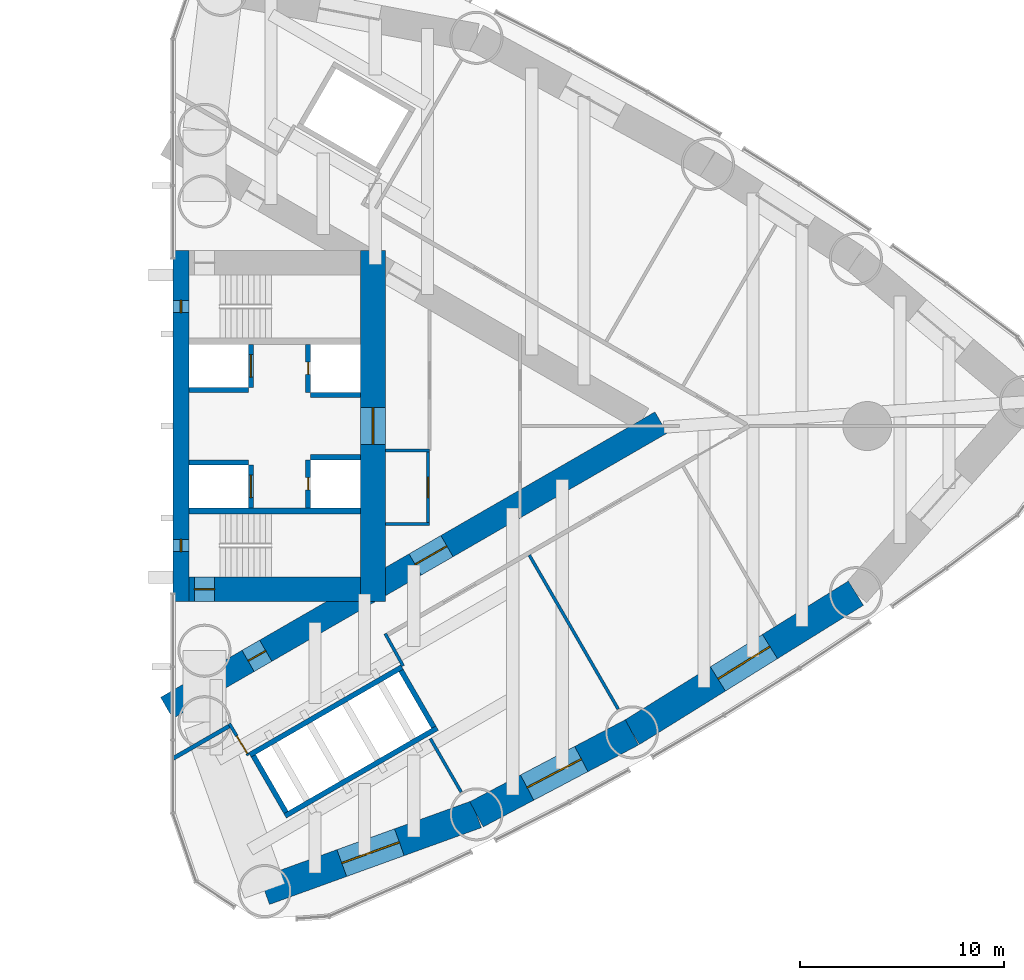
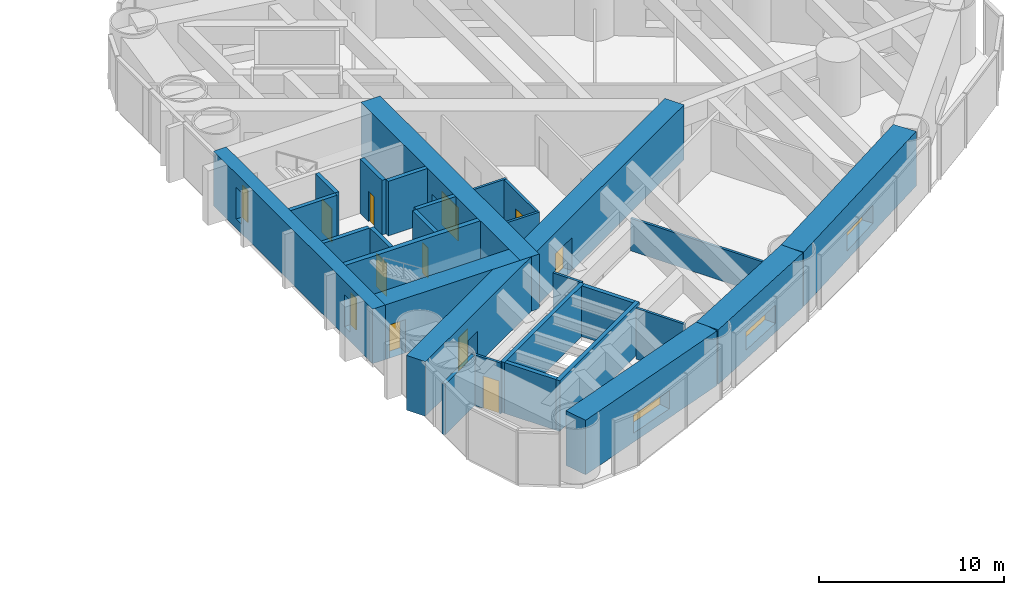
# One storey, part 13 of 16: 28 walls, 10 doors, 5 windows, 15 openings.
"""IFC4 building model written with IfcOpenShell, lengths in metres."""

from ifc_helpers import new_model, si_unit, direction, frame, frame_2d, origin, place, context, subcontext, project, spatial, rectangle, extrude, material, layer, layer_set, type_object, element, fill, save


model = new_model("IFC4")

# Units and contexts
model_context = context("Model", 3, precision=1e-05, world=origin(), true_north=direction((0.0, 1.0)))
body_context = subcontext(model_context, "Body", "Model", "MODEL_VIEW")
ifc_project = project(units=[si_unit("LENGTHUNIT", "METRE"), si_unit("AREAUNIT", "SQUARE_METRE"), si_unit("VOLUMEUNIT", "CUBIC_METRE"), si_unit("PLANEANGLEUNIT", "RADIAN"), si_unit("MASSUNIT", "GRAM", prefix="KILO")], contexts=[model_context])

# Site, building, storey
site_placement = place(None, origin())
site = spatial("IfcSite", under=ifc_project, at=site_placement, CompositionType="ELEMENT")
building_placement = place(site_placement, origin())
building = spatial("IfcBuilding", under=site, at=building_placement, Name="Lancet Gate Hotel", CompositionType="ELEMENT")
storey_placement = place(building_placement, frame((0.0, 0.0, 143.10009765625)))
storey = spatial("IfcBuildingStorey", under=building, at=storey_placement, Name="L38", CompositionType="ELEMENT", Elevation=143.10009765625)

# Wall, opening, window
ifc_material_1 = material(Name="Concrete C80/95", Category="concrete")
ifc_layer_1 = layer(ifc_material_1, 1.39990234375)
ifc_layer_set_1 = layer_set([ifc_layer_1], Name="Belt wall 1400")
wall_type_1 = type_object("IfcWallType", Name="Belt wall 1400", PredefinedType="SHEAR", material=ifc_layer_set_1)
wall_1_placement = place(storey_placement, frame((31.99609375, -22.76318359375, 0.0), z_axis=(0.0, 0.0, 1.0), x_axis=(0.940225039526, 0.340553777029, 0.0)))
wall_1 = element("IfcWall", 1, at=wall_1_placement, inside=storey, type_object=wall_type_1, Name="T2 belt wall CS-OS1 L38", PredefinedType="SHEAR", context=body_context, shape_type="SweptSolid", body=[
    extrude(rectangle(XDim=11.029296875, YDim=1.39990234375, at=frame_2d((5.5146484375, 0.0))), origin(), (0.0, 0.0, 1.0), 3.599853515625),
])
opening_1_placement = place(wall_1_placement, frame((4.0146484375, 0.0, 0.60009765625)))
opening_1 = element("IfcOpeningElement", 2, at=opening_1_placement, cuts=wall_1, Name="Opening LV1", PredefinedType="OPENING", context=body_context, shape_type="SweptSolid", body=[
    extrude(rectangle(XDim=3.0, YDim=1.199951171875, at=frame_2d((1.5, 0.60009765625))), frame((0.0, 0.7099609375, 0.0), z_axis=(0.0, -1.0, 0.0), x_axis=(1.0, 0.0, 0.0)), (0.0, 0.0, 1.0), 1.419921875),
])
ifc_material_2 = material(Name="Aluminium weather louvre", Category="aluminium")
window_type_1 = type_object("IfcWindowType", Name="Refuge louvre 3000x1200", PartitioningType="SINGLE_PANEL", PredefinedType="WINDOW", material=ifc_material_2)
window_1_placement = place(opening_1_placement, origin())
window_1 = element("IfcWindow", 3, at=window_1_placement, inside=storey, type_object=window_type_1, Name="T2 belt louvre CS-OS1 L38", OverallHeight=1.199951171875, OverallWidth=3.0, PartitioningType="SINGLE_PANEL", PredefinedType="WINDOW", context=body_context, shape_type="SweptSolid", body=[
    extrude(rectangle(XDim=3.0, YDim=1.199951171875, at=frame_2d((1.5, 0.60009765625))), frame((0.0, 0.030029296875, 0.0), z_axis=(0.0, -1.0, 0.0), x_axis=(1.0, 0.0, 0.0)), (0.0, 0.0, 1.0), 0.06005859375),
])
fill(opening_1, window_1)

wall_2_placement = place(storey_placement, frame((42.3662109375, -19.007080078125, 0.0), z_axis=(0.0, 0.0, 1.0), x_axis=(0.884632510133, 0.466288882578, 0.0)))
wall_2 = element("IfcWall", 4, at=wall_2_placement, inside=storey, type_object=wall_type_1, Name="T2 belt wall OS1-OS2 L38", PredefinedType="SHEAR", context=body_context, shape_type="SweptSolid", body=[
    extrude(rectangle(XDim=8.605712890625, YDim=1.39990234375, at=frame_2d((4.302734375, 0.0))), origin(), (0.0, 0.0, 1.0), 3.599853515625),
])
opening_2_placement = place(wall_2_placement, frame((2.802978515625, 0.0, 0.60009765625)))
opening_2 = element("IfcOpeningElement", 5, at=opening_2_placement, cuts=wall_2, Name="Opening LV1", PredefinedType="OPENING", context=body_context, shape_type="SweptSolid", body=[
    extrude(rectangle(XDim=3.0, YDim=1.199951171875, at=frame_2d((1.5, 0.60009765625))), frame((0.0, 0.7099609375, 0.0), z_axis=(0.0, -1.0, 0.0), x_axis=(1.0, 0.0, 0.0)), (0.0, 0.0, 1.0), 1.419921875),
])
window_2_placement = place(opening_2_placement, origin())
window_2 = element("IfcWindow", 6, at=window_2_placement, inside=storey, type_object=window_type_1, Name="T2 belt louvre OS1-OS2 L38", OverallHeight=1.199951171875, OverallWidth=3.0, PartitioningType="SINGLE_PANEL", PredefinedType="WINDOW", context=body_context, shape_type="SweptSolid", body=[
    extrude(rectangle(XDim=3.0, YDim=1.199951171875, at=frame_2d((1.5, 0.60009765625))), frame((0.0, 0.030029296875, 0.0), z_axis=(0.0, -1.0, 0.0), x_axis=(1.0, 0.0, 0.0)), (0.0, 0.0, 1.0), 0.06005859375),
])
fill(opening_2, window_2)

wall_3_placement = place(storey_placement, frame((49.97900390625, -14.994384765625, 0.0), z_axis=(0.0, 0.0, 1.0), x_axis=(0.849312372751, 0.527890607505, 0.0)))
wall_3 = element("IfcWall", 7, at=wall_3_placement, inside=storey, type_object=wall_type_1, Name="T2 belt wall OS2-OS3 L38", PredefinedType="SHEAR", context=body_context, shape_type="SweptSolid", body=[
    extrude(rectangle(XDim=12.906494140625, YDim=1.39990234375, at=frame_2d((6.453125, 0.0))), origin(), (0.0, 0.0, 1.0), 3.599853515625),
])
opening_3_placement = place(wall_3_placement, frame((4.953125, 0.0, 0.60009765625)))
opening_3 = element("IfcOpeningElement", 8, at=opening_3_placement, cuts=wall_3, Name="Opening LV1", PredefinedType="OPENING", context=body_context, shape_type="SweptSolid", body=[
    extrude(rectangle(XDim=3.0, YDim=1.199951171875, at=frame_2d((1.5, 0.60009765625))), frame((0.0, 0.7099609375, 0.0), z_axis=(0.0, -1.0, 0.0), x_axis=(1.0, 0.0, 0.0)), (0.0, 0.0, 1.0), 1.419921875),
])
window_3_placement = place(opening_3_placement, origin())
window_3 = element("IfcWindow", 9, at=window_3_placement, inside=storey, type_object=window_type_1, Name="T2 belt louvre OS2-OS3 L38", OverallHeight=1.199951171875, OverallWidth=3.0, PartitioningType="SINGLE_PANEL", PredefinedType="WINDOW", context=body_context, shape_type="SweptSolid", body=[
    extrude(rectangle(XDim=3.0, YDim=1.199951171875, at=frame_2d((1.5, 0.60009765625))), frame((0.0, 0.030029296875, 0.0), z_axis=(0.0, -1.0, 0.0), x_axis=(1.0, 0.0, 0.0)), (0.0, 0.0, 1.0), 0.06005859375),
])
fill(opening_3, window_3)

# Wall, openings, doors
ifc_material_3 = material(Name="Concrete C70/85", Category="concrete")
ifc_layer_2 = layer(ifc_material_3, 1.199951171875)
ifc_layer_set_2 = layer_set([ifc_layer_2], Name="Buttress wall 1200")
wall_type_2 = type_object("IfcWallType", Name="Buttress wall 1200", PredefinedType="SHEAR", material=ifc_layer_set_2)
wall_4_placement = place(storey_placement, frame((27.199951171875, -13.800048828125, 0.0), z_axis=(0.0, 0.0, 1.0), x_axis=(0.866027159892, 0.499996958321, 0.0)))
wall_4 = element("IfcWall", 10, at=wall_4_placement, inside=storey, type_object=wall_type_2, Name="T2 buttress wall S L38", PredefinedType="SHEAR", context=body_context, shape_type="SweptSolid", body=[
    extrude(rectangle(XDim=27.946533203125, YDim=1.199951171875, at=frame_2d((13.97314453125, 0.0))), origin(), (0.0, 0.0, 1.0), 3.599853515625),
])
opening_4_placement = place(wall_4_placement, frame((4.60009765625, 0.0, 0.0)))
opening_4 = element("IfcOpeningElement", 11, at=opening_4_placement, cuts=wall_4, Name="Opening T2-L38-LS", PredefinedType="OPENING", context=body_context, shape_type="SweptSolid", body=[
    extrude(rectangle(XDim=1.0, YDim=2.199951171875, at=frame_2d((0.5, 1.10009765625))), frame((0.0, 0.60986328125, 0.0), z_axis=(0.0, -1.0, 0.0), x_axis=(1.0, 0.0, 0.0)), (0.0, 0.0, 1.0), 1.219970703125),
])
opening_5_placement = place(wall_4_placement, frame((14.044921875, 0.0, 0.0)))
opening_5 = element("IfcOpeningElement", 12, at=opening_5_placement, cuts=wall_4, Name="Opening T2-L38-LHS", PredefinedType="OPENING", context=body_context, shape_type="SweptSolid", body=[
    extrude(rectangle(XDim=1.800048828125, YDim=2.199951171875, at=frame_2d((0.89990234375, 1.10009765625))), frame((0.0, 0.60986328125, 0.0), z_axis=(0.0, -1.0, 0.0), x_axis=(1.0, 0.0, 0.0)), (0.0, 0.0, 1.0), 1.219970703125),
])
ifc_material_4 = material(Name="Timber door set", Category="wood")
door_type_1 = type_object("IfcDoorType", Name="Lobby double door 1800", OperationType="DOUBLE_DOOR_SINGLE_SWING", PredefinedType="DOOR", material=ifc_material_4)
door_1_placement = place(opening_5_placement, origin())
door_1 = element("IfcDoor", 13, at=door_1_placement, inside=storey, type_object=door_type_1, Name="T2-L38-LHS", OperationType="DOUBLE_DOOR_SINGLE_SWING", OverallHeight=2.199951171875, OverallWidth=1.800048828125, PredefinedType="DOOR", context=body_context, shape_type="SweptSolid", body=[
    extrude(rectangle(XDim=1.800048828125, YDim=2.199951171875, at=frame_2d((0.89990234375, 1.10009765625))), frame((0.0, 0.02490234375, 0.0), z_axis=(0.0, -1.0, 0.0), x_axis=(1.0, 0.0, 0.0)), (0.0, 0.0, 1.0), 0.050048828125),
])
fill(opening_5, door_1)
ifc_material_5 = material(Name="Timber door set", Category="wood")
door_type_2 = type_object("IfcDoorType", Name="Stair lobby door 1000", OperationType="SINGLE_SWING_LEFT", PredefinedType="DOOR", material=ifc_material_5)
door_2_placement = place(opening_4_placement, origin())
door_2 = element("IfcDoor", 14, at=door_2_placement, inside=storey, type_object=door_type_2, Name="T2-L38-LS", OperationType="SINGLE_SWING_LEFT", OverallHeight=2.199951171875, OverallWidth=1.0, PredefinedType="DOOR", context=body_context, shape_type="SweptSolid", body=[
    extrude(rectangle(XDim=1.0, YDim=2.199951171875, at=frame_2d((0.5, 1.10009765625))), frame((0.0, 0.02490234375, 0.0), z_axis=(0.0, -1.0, 0.0), x_axis=(1.0, 0.0, 0.0)), (0.0, 0.0, 1.0), 0.050048828125),
])
fill(opening_4, door_2)

# Wall, opening, door
ifc_material_6 = material(Name="Concrete C70/85", Category="concrete")
ifc_layer_3 = layer(ifc_material_6, 1.199951171875)
ifc_layer_set_3 = layer_set([ifc_layer_3], Name="Core wall 1200")
wall_type_3 = type_object("IfcWallType", Name="Core wall 1200", PredefinedType="SHEAR", material=ifc_layer_set_3)
wall_5_placement = place(storey_placement, frame((37.300048828125, -8.60009765625, 0.0), z_axis=(0.0, 0.0, 1.0), x_axis=(0.0, 1.0, 0.0)))
wall_5 = element("IfcWall", 15, at=wall_5_placement, inside=storey, type_object=wall_type_3, Name="T2 core wall back L38", PredefinedType="SHEAR", context=body_context, shape_type="SweptSolid", body=[
    extrude(rectangle(XDim=17.2001953125, YDim=1.199951171875, at=frame_2d((8.60009765625, 0.0))), origin(), (0.0, 0.0, 1.0), 3.599853515625),
])
opening_6_placement = place(wall_5_placement, frame((7.699951171875, 0.0, 0.0)))
opening_6 = element("IfcOpeningElement", 16, at=opening_6_placement, cuts=wall_5, Name="Opening T2-L38-LL", PredefinedType="OPENING", context=body_context, shape_type="SweptSolid", body=[
    extrude(rectangle(XDim=1.800048828125, YDim=2.199951171875, at=frame_2d((0.89990234375, 1.10009765625))), frame((0.0, 0.60986328125, 0.0), z_axis=(0.0, -1.0, 0.0), x_axis=(1.0, 0.0, 0.0)), (0.0, 0.0, 1.0), 1.219970703125),
])
door_3_placement = place(opening_6_placement, origin())
door_3 = element("IfcDoor", 17, at=door_3_placement, inside=storey, type_object=door_type_1, Name="T2-L38-LL", OperationType="DOUBLE_DOOR_SINGLE_SWING", OverallHeight=2.199951171875, OverallWidth=1.800048828125, PredefinedType="DOOR", context=body_context, shape_type="SweptSolid", body=[
    extrude(rectangle(XDim=1.800048828125, YDim=2.199951171875, at=frame_2d((0.89990234375, 1.10009765625))), frame((0.0, 0.02490234375, 0.0), z_axis=(0.0, -1.0, 0.0), x_axis=(1.0, 0.0, 0.0)), (0.0, 0.0, 1.0), 0.050048828125),
])
fill(opening_6, door_3)

wall_6_placement = place(storey_placement, frame((28.300048828125, -8.0, 0.0), z_axis=(0.0, 0.0, 1.0), x_axis=(1.0, 0.0, 0.0)))
wall_6 = element("IfcWall", 18, at=wall_6_placement, inside=storey, type_object=wall_type_3, Name="T2 core wall side-S L38", PredefinedType="SHEAR", context=body_context, shape_type="SweptSolid", body=[
    extrude(rectangle(XDim=8.39990234375, YDim=1.199951171875, at=frame_2d((4.199951171875, 0.0))), origin(), (0.0, 0.0, 1.0), 3.599853515625),
])
opening_7_placement = place(wall_6_placement, frame((0.25, 0.0, 0.0)))
opening_7 = element("IfcOpeningElement", 19, at=opening_7_placement, cuts=wall_6, Name="Opening T2-L38-ST1", PredefinedType="OPENING", context=body_context, shape_type="SweptSolid", body=[
    extrude(rectangle(XDim=1.0, YDim=2.199951171875, at=frame_2d((0.5, 1.10009765625))), frame((0.0, 0.60986328125, 0.0), z_axis=(0.0, -1.0, 0.0), x_axis=(1.0, 0.0, 0.0)), (0.0, 0.0, 1.0), 1.219970703125),
])
ifc_material_7 = material(Name="Timber door set", Category="wood")
door_type_3 = type_object("IfcDoorType", Name="Stair door 1000", OperationType="SINGLE_SWING_RIGHT", PredefinedType="DOOR", material=ifc_material_7)
door_4_placement = place(opening_7_placement, origin())
door_4 = element("IfcDoor", 20, at=door_4_placement, inside=storey, type_object=door_type_3, Name="T2-L38-ST1", OperationType="SINGLE_SWING_RIGHT", OverallHeight=2.199951171875, OverallWidth=1.0, PredefinedType="DOOR", context=body_context, shape_type="SweptSolid", body=[
    extrude(rectangle(XDim=1.0, YDim=2.199951171875, at=frame_2d((0.5, 1.10009765625))), frame((0.0, 0.02490234375, 0.0), z_axis=(0.0, -1.0, 0.0), x_axis=(1.0, 0.0, 0.0)), (0.0, 0.0, 1.0), 0.050048828125),
])
fill(opening_7, door_4)

# Wall, openings, windows
ifc_material_8 = material(Name="Concrete C70/85", Category="concrete")
ifc_layer_4 = layer(ifc_material_8, 0.800048828125)
ifc_layer_set_4 = layer_set([ifc_layer_4], Name="Core wall 800")
wall_type_4 = type_object("IfcWallType", Name="Core wall 800", PredefinedType="SHEAR", material=ifc_layer_set_4)
wall_7_placement = place(storey_placement, frame((27.89990234375, -8.60009765625, 0.0), z_axis=(0.0, 0.0, 1.0), x_axis=(0.0, 1.0, 0.0)))
wall_7 = element("IfcWall", 21, at=wall_7_placement, inside=storey, type_object=wall_type_4, Name="T2 core wall front L38", PredefinedType="SHEAR", context=body_context, shape_type="SweptSolid", body=[
    extrude(rectangle(XDim=17.2001953125, YDim=0.800048828125, at=frame_2d((8.60009765625, 0.0))), origin(), (0.0, 0.0, 1.0), 3.599853515625),
])
opening_8_placement = place(wall_7_placement, frame((2.449951171875, 0.0, 0.60009765625)))
opening_8 = element("IfcOpeningElement", 22, at=opening_8_placement, cuts=wall_7, Name="Opening LW1", PredefinedType="OPENING", context=body_context, shape_type="SweptSolid", body=[
    extrude(rectangle(XDim=0.60009765625, YDim=2.10009765625, at=frame_2d((0.300048828125, 1.050048828125))), frame((0.0, 0.409912109375, 0.0), z_axis=(0.0, -1.0, 0.0), x_axis=(1.0, 0.0, 0.0)), (0.0, 0.0, 1.0), 0.820068359375),
])
opening_9_placement = place(wall_7_placement, frame((14.14990234375, 0.0, 0.60009765625)))
opening_9 = element("IfcOpeningElement", 23, at=opening_9_placement, cuts=wall_7, Name="Opening LW1", PredefinedType="OPENING", context=body_context, shape_type="SweptSolid", body=[
    extrude(rectangle(XDim=0.60009765625, YDim=2.10009765625, at=frame_2d((0.300048828125, 1.050048828125))), frame((0.0, 0.409912109375, 0.0), z_axis=(0.0, -1.0, 0.0), x_axis=(1.0, 0.0, 0.0)), (0.0, 0.0, 1.0), 0.820068359375),
])
ifc_material_9 = material(Name="Fire-resisting glazed steel window", Category="steel")
window_type_2 = type_object("IfcWindowType", Name="Lancet window 600x2100", PartitioningType="SINGLE_PANEL", PredefinedType="WINDOW", material=ifc_material_9)
window_4_placement = place(opening_8_placement, origin())
window_4 = element("IfcWindow", 24, at=window_4_placement, inside=storey, type_object=window_type_2, Name="T2 stair window S L38", OverallHeight=2.10009765625, OverallWidth=0.60009765625, PartitioningType="SINGLE_PANEL", PredefinedType="WINDOW", context=body_context, shape_type="SweptSolid", body=[
    extrude(rectangle(XDim=0.60009765625, YDim=2.10009765625, at=frame_2d((0.300048828125, 1.050048828125))), frame((0.0, 0.030029296875, 0.0), z_axis=(0.0, -1.0, 0.0), x_axis=(1.0, 0.0, 0.0)), (0.0, 0.0, 1.0), 0.06005859375),
])
fill(opening_8, window_4)
window_5_placement = place(opening_9_placement, origin())
window_5 = element("IfcWindow", 25, at=window_5_placement, inside=storey, type_object=window_type_2, Name="T2 stair window N L38", OverallHeight=2.10009765625, OverallWidth=0.60009765625, PartitioningType="SINGLE_PANEL", PredefinedType="WINDOW", context=body_context, shape_type="SweptSolid", body=[
    extrude(rectangle(XDim=0.60009765625, YDim=2.10009765625, at=frame_2d((0.300048828125, 1.050048828125))), frame((0.0, 0.030029296875, 0.0), z_axis=(0.0, -1.0, 0.0), x_axis=(1.0, 0.0, 0.0)), (0.0, 0.0, 1.0), 0.06005859375),
])
fill(opening_9, window_5)

# Walls
ifc_material_10 = material(Name="Gypsum board partition")
ifc_layer_5 = layer(ifc_material_10, 0.199951171875)
ifc_layer_set_5 = layer_set([ifc_layer_5], Name="Corridor wall 200")
wall_type_5 = type_object("IfcWallType", Name="Corridor wall 200", PredefinedType="PARTITIONING", material=ifc_layer_set_5)
wall_8_placement = place(storey_placement, frame((27.5, -16.282470703125, 0.0), z_axis=(0.0, 0.0, 1.0), x_axis=(0.866039938485, 0.499974824316, 0.0)))
element("IfcWall", 26, at=wall_8_placement, inside=storey, type_object=wall_type_5, Name="T2 corridor wall 200 L38", PredefinedType="PARTITIONING", context=body_context, shape_type="SweptSolid", body=[
    extrude(rectangle(XDim=3.238037109375, YDim=0.199951171875, at=frame_2d((1.619140625, 0.0))), origin(), (0.0, 0.0, 1.0), 3.349853515625),
])
ifc_material_11 = material(Name="Gypsum board partition")
ifc_layer_6 = layer(ifc_material_11, 0.25)
ifc_layer_set_6 = layer_set([ifc_layer_6], Name="Lift shaft partition 250")
wall_type_6 = type_object("IfcWallType", Name="Lift shaft partition 250", PredefinedType="PARTITIONING", material=ifc_layer_set_6)
for number, where, z_axis, x_axis, name in (
    (27, (31.2705078125, -16.09716796875, 0.0), (0.0, 0.0, 1.0), (0.86604045752, 0.499973925258, 0.0), "T2 lift shaft wall LR L38"),
    (28, (32.99560546875, -19.085693359375, 0.0), (0.0, 0.0, 1.0), (0.866028165386, 0.499995216735, 0.0), "T2 lift shaft wall LR L38"),
):
    element("IfcWall", number, at=place(storey_placement, frame(where, z_axis=z_axis, x_axis=x_axis)), inside=storey, type_object=wall_type_6, Name=name, PredefinedType="PARTITIONING", context=body_context, shape_type="SweptSolid", body=[
        extrude(rectangle(XDim=8.60009765625, YDim=0.25, at=frame_2d((4.300048828125, 0.0))), origin(), (0.0, 0.0, 1.0), 3.349853515625),
    ])
for number, where, z_axis, x_axis, name in (
    (29, (31.441162109375, -16.14306640625, 0.0), (0.0, 0.0, 1.0), (0.499929347863, -0.866066190972, 0.0), "T2 lift shaft wall LR L38"),
    (30, (38.672607421875, -11.968017578125, 0.0), (0.0, 0.0, 1.0), (0.499929347863, -0.866066190972, 0.0), "T2 lift shaft wall LR L38"),
):
    element("IfcWall", number, at=place(storey_placement, frame(where, z_axis=z_axis, x_axis=x_axis)), inside=storey, type_object=wall_type_6, Name=name, PredefinedType="PARTITIONING", context=body_context, shape_type="SweptSolid", body=[
        extrude(rectangle(XDim=3.20068359375, YDim=0.25, at=frame_2d((1.600341796875, 0.0))), origin(), (0.0, 0.0, 1.0), 3.349853515625),
    ])

# Wall, opening, door
ifc_material_12 = material(Name="Concrete C50/60", Category="concrete")
ifc_layer_7 = layer(ifc_material_12, 0.25)
ifc_layer_set_7 = layer_set([ifc_layer_7], Name="Lift shaft wall 250")
wall_type_7 = type_object("IfcWallType", Name="Lift shaft wall 250", PredefinedType="SHEAR", material=ifc_layer_set_7)
wall_9_placement = place(storey_placement, frame((31.324951171875, -4.0, 0.0), z_axis=(0.0, 0.0, 1.0), x_axis=(0.0, 1.0, 0.0)))
wall_9 = element("IfcWall", 31, at=wall_9_placement, inside=storey, type_object=wall_type_7, Name="T2 core wall row1-S L38", PredefinedType="SHEAR", context=body_context, shape_type="SweptSolid", body=[
    extrude(rectangle(XDim=2.10009765625, YDim=0.25, at=frame_2d((1.050048828125, 0.0))), origin(), (0.0, 0.0, 1.0), 3.599853515625),
])
opening_10_placement = place(wall_9_placement, frame((0.5, 0.0, 0.0)))
opening_10 = element("IfcOpeningElement", 32, at=opening_10_placement, cuts=wall_9, Name="Opening T2-SL1-L38", PredefinedType="OPENING", context=body_context, shape_type="SweptSolid", body=[
    extrude(rectangle(XDim=1.10009765625, YDim=2.199951171875, at=frame_2d((0.550048828125, 1.10009765625))), frame((0.0, 0.135009765625, 0.0), z_axis=(0.0, -1.0, 0.0), x_axis=(1.0, 0.0, 0.0)), (0.0, 0.0, 1.0), 0.27001953125),
])
ifc_material_13 = material(Name="Timber door set", Category="wood")
door_type_4 = type_object("IfcDoorType", Name="Service lift landing door 1100", OperationType="SLIDING_TO_LEFT", PredefinedType="USERDEFINED", material=ifc_material_13)
door_5_placement = place(opening_10_placement, origin())
door_5 = element("IfcDoor", 33, at=door_5_placement, inside=storey, type_object=door_type_4, Name="T2-SL1-L38", ObjectType="LIFT LANDING DOOR", OperationType="SLIDING_TO_LEFT", OverallHeight=2.199951171875, OverallWidth=1.10009765625, PredefinedType="USERDEFINED", context=body_context, shape_type="SweptSolid", body=[
    extrude(rectangle(XDim=1.10009765625, YDim=2.199951171875, at=frame_2d((0.550048828125, 1.10009765625))), frame((0.0, 0.02490234375, 0.0), z_axis=(0.0, -1.0, 0.0), x_axis=(1.0, 0.0, 0.0)), (0.0, 0.0, 1.0), 0.050048828125),
])
fill(opening_10, door_5)

wall_10_placement = place(storey_placement, frame((34.125, -4.0, 0.0), z_axis=(0.0, 0.0, 1.0), x_axis=(0.0, 1.0, 0.0)))
wall_10 = element("IfcWall", 34, at=wall_10_placement, inside=storey, type_object=wall_type_7, Name="T2 core wall row2-S L38", PredefinedType="SHEAR", context=body_context, shape_type="SweptSolid", body=[
    extrude(rectangle(XDim=2.35009765625, YDim=0.25, at=frame_2d((1.175048828125, 0.0))), origin(), (0.0, 0.0, 1.0), 3.599853515625),
])
opening_11_placement = place(wall_10_placement, frame((0.875, 0.0, 0.0)))
opening_11 = element("IfcOpeningElement", 35, at=opening_11_placement, cuts=wall_10, Name="Opening T2-OL3-L38-E", PredefinedType="OPENING", context=body_context, shape_type="SweptSolid", body=[
    extrude(rectangle(XDim=0.60009765625, YDim=2.0, at=frame_2d((0.300048828125, 1.0))), frame((0.0, 0.135009765625, 0.0), z_axis=(0.0, -1.0, 0.0), x_axis=(1.0, 0.0, 0.0)), (0.0, 0.0, 1.0), 0.27001953125),
])
ifc_material_14 = material(Name="Steel door set", Category="steel")
door_type_5 = type_object("IfcDoorType", Name="Lift shaft emergency door 600x2000", OperationType="SLIDING_TO_LEFT", PredefinedType="DOOR", material=ifc_material_14)
door_6_placement = place(opening_11_placement, origin())
door_6 = element("IfcDoor", 36, at=door_6_placement, inside=storey, type_object=door_type_5, Name="T2-OL3-L38-E", OperationType="SLIDING_TO_LEFT", OverallHeight=2.0, OverallWidth=0.60009765625, PredefinedType="DOOR", context=body_context, shape_type="SweptSolid", body=[
    extrude(rectangle(XDim=0.60009765625, YDim=2.0, at=frame_2d((0.300048828125, 1.0))), frame((0.0, 0.02490234375, 0.0), z_axis=(0.0, -1.0, 0.0), x_axis=(1.0, 0.0, 0.0)), (0.0, 0.0, 1.0), 0.050048828125),
])
fill(opening_11, door_6)

# Walls
wall_11_placement = place(storey_placement, frame((28.300048828125, -1.77490234375, 0.0), z_axis=(0.0, 0.0, 1.0), x_axis=(1.0, 0.0, 0.0)))
element("IfcWall", 37, at=wall_11_placement, inside=storey, type_object=wall_type_7, Name="T2 core wall pass1-S L38", PredefinedType="SHEAR", context=body_context, shape_type="SweptSolid", body=[
    extrude(rectangle(XDim=2.89990234375, YDim=0.25, at=frame_2d((1.449951171875, 0.0))), origin(), (0.0, 0.0, 1.0), 3.599853515625),
])
wall_12_placement = place(storey_placement, frame((34.25, -1.52490234375, 0.0), z_axis=(0.0, 0.0, 1.0), x_axis=(1.0, 0.0, 0.0)))
element("IfcWall", 38, at=wall_12_placement, inside=storey, type_object=wall_type_7, Name="T2 core wall pass2-S L38", PredefinedType="SHEAR", context=body_context, shape_type="SweptSolid", body=[
    extrude(rectangle(XDim=2.449951171875, YDim=0.25, at=frame_2d((1.22509765625, 0.0))), origin(), (0.0, 0.0, 1.0), 3.599853515625),
])

# Wall, opening, door
wall_13_placement = place(storey_placement, frame((31.324951171875, 1.89990234375, 0.0), z_axis=(0.0, 0.0, 1.0), x_axis=(0.0, 1.0, 0.0)))
wall_13 = element("IfcWall", 39, at=wall_13_placement, inside=storey, type_object=wall_type_7, Name="T2 core wall row1-N L38", PredefinedType="SHEAR", context=body_context, shape_type="SweptSolid", body=[
    extrude(rectangle(XDim=2.10009765625, YDim=0.25, at=frame_2d((1.050048828125, 0.0))), origin(), (0.0, 0.0, 1.0), 3.599853515625),
])
opening_12_placement = place(wall_13_placement, frame((0.5, 0.0, 0.0)))
opening_12 = element("IfcOpeningElement", 40, at=opening_12_placement, cuts=wall_13, Name="Opening T2-FL2-L38", PredefinedType="OPENING", context=body_context, shape_type="SweptSolid", body=[
    extrude(rectangle(XDim=1.10009765625, YDim=2.199951171875, at=frame_2d((0.550048828125, 1.10009765625))), frame((0.0, 0.135009765625, 0.0), z_axis=(0.0, -1.0, 0.0), x_axis=(1.0, 0.0, 0.0)), (0.0, 0.0, 1.0), 0.27001953125),
])
ifc_material_15 = material(Name="Steel door set", Category="steel")
door_type_6 = type_object("IfcDoorType", Name="Firefighting lift landing door 1100", OperationType="SLIDING_TO_LEFT", PredefinedType="USERDEFINED", material=ifc_material_15)
door_7_placement = place(opening_12_placement, origin())
door_7 = element("IfcDoor", 41, at=door_7_placement, inside=storey, type_object=door_type_6, Name="T2-FL2-L38", ObjectType="LIFT LANDING DOOR", OperationType="SLIDING_TO_LEFT", OverallHeight=2.199951171875, OverallWidth=1.10009765625, PredefinedType="USERDEFINED", context=body_context, shape_type="SweptSolid", body=[
    extrude(rectangle(XDim=1.10009765625, YDim=2.199951171875, at=frame_2d((0.550048828125, 1.10009765625))), frame((0.0, 0.02490234375, 0.0), z_axis=(0.0, -1.0, 0.0), x_axis=(1.0, 0.0, 0.0)), (0.0, 0.0, 1.0), 0.050048828125),
])
fill(opening_12, door_7)

wall_14_placement = place(storey_placement, frame((34.125, 1.64990234375, 0.0), z_axis=(0.0, 0.0, 1.0), x_axis=(0.0, 1.0, 0.0)))
wall_14 = element("IfcWall", 42, at=wall_14_placement, inside=storey, type_object=wall_type_7, Name="T2 core wall row2-N L38", PredefinedType="SHEAR", context=body_context, shape_type="SweptSolid", body=[
    extrude(rectangle(XDim=2.35009765625, YDim=0.25, at=frame_2d((1.175048828125, 0.0))), origin(), (0.0, 0.0, 1.0), 3.599853515625),
])
opening_13_placement = place(wall_14_placement, frame((0.875, 0.0, 0.0)))
opening_13 = element("IfcOpeningElement", 43, at=opening_13_placement, cuts=wall_14, Name="Opening T2-OL4-L38-E", PredefinedType="OPENING", context=body_context, shape_type="SweptSolid", body=[
    extrude(rectangle(XDim=0.60009765625, YDim=2.0, at=frame_2d((0.300048828125, 1.0))), frame((0.0, 0.135009765625, 0.0), z_axis=(0.0, -1.0, 0.0), x_axis=(1.0, 0.0, 0.0)), (0.0, 0.0, 1.0), 0.27001953125),
])
door_8_placement = place(opening_13_placement, origin())
door_8 = element("IfcDoor", 44, at=door_8_placement, inside=storey, type_object=door_type_5, Name="T2-OL4-L38-E", OperationType="SLIDING_TO_LEFT", OverallHeight=2.0, OverallWidth=0.60009765625, PredefinedType="DOOR", context=body_context, shape_type="SweptSolid", body=[
    extrude(rectangle(XDim=0.60009765625, YDim=2.0, at=frame_2d((0.300048828125, 1.0))), frame((0.0, 0.02490234375, 0.0), z_axis=(0.0, -1.0, 0.0), x_axis=(1.0, 0.0, 0.0)), (0.0, 0.0, 1.0), 0.050048828125),
])
fill(opening_13, door_8)

# Walls
wall_15_placement = place(storey_placement, frame((28.300048828125, 1.77490234375, 0.0), z_axis=(0.0, 0.0, 1.0), x_axis=(1.0, 0.0, 0.0)))
element("IfcWall", 45, at=wall_15_placement, inside=storey, type_object=wall_type_7, Name="T2 core wall pass1-N L38", PredefinedType="SHEAR", context=body_context, shape_type="SweptSolid", body=[
    extrude(rectangle(XDim=2.89990234375, YDim=0.25, at=frame_2d((1.449951171875, 0.0))), origin(), (0.0, 0.0, 1.0), 3.599853515625),
])
wall_16_placement = place(storey_placement, frame((34.25, 1.52490234375, 0.0), z_axis=(0.0, 0.0, 1.0), x_axis=(1.0, 0.0, 0.0)))
element("IfcWall", 46, at=wall_16_placement, inside=storey, type_object=wall_type_7, Name="T2 core wall pass2-N L38", PredefinedType="SHEAR", context=body_context, shape_type="SweptSolid", body=[
    extrude(rectangle(XDim=2.449951171875, YDim=0.25, at=frame_2d((1.22509765625, 0.0))), origin(), (0.0, 0.0, 1.0), 3.599853515625),
])
ifc_material_16 = material(Name="Gypsum board partition")
ifc_layer_8 = layer(ifc_material_16, 0.14990234375)
ifc_layer_set_8 = layer_set([ifc_layer_8], Name="Party wall 150")
wall_type_8 = type_object("IfcWallType", Name="Party wall 150", PredefinedType="PARTITIONING", material=ifc_layer_set_8)
wall_17_placement = place(storey_placement, frame((44.95361328125, -6.3212890625, 0.0), z_axis=(0.0, 0.0, 1.0), x_axis=(0.500018676722, -0.866014620505, 0.0)))
element("IfcWall", 47, at=wall_17_placement, inside=storey, type_object=wall_type_8, Name="T2 party wall 150 L38", PredefinedType="PARTITIONING", context=body_context, shape_type="SweptSolid", body=[
    extrude(rectangle(XDim=8.703857421875, YDim=0.14990234375, at=frame_2d((4.35205078125, 0.0))), origin(), (0.0, 0.0, 1.0), 2.14990234375),
])
wall_18_placement = place(storey_placement, frame((40.10546875, -15.298583984375, 0.0), z_axis=(0.0, 0.0, 1.0), x_axis=(0.499978822259, -0.866037630414, 0.0)))
element("IfcWall", 48, at=wall_18_placement, inside=storey, type_object=wall_type_8, Name="T2 party wall 150 L38", PredefinedType="PARTITIONING", context=body_context, shape_type="SweptSolid", body=[
    extrude(rectangle(XDim=3.022705078125, YDim=0.14990234375, at=frame_2d((1.51123046875, 0.0))), origin(), (0.0, 0.0, 1.0), 3.349853515625),
])

# Wall, opening, door
ifc_material_17 = material(Name="Gypsum board partition")
ifc_layer_9 = layer(ifc_material_17, 0.14990234375)
ifc_layer_set_9 = layer_set([ifc_layer_9], Name="Service room wall 150")
wall_type_9 = type_object("IfcWallType", Name="Service room wall 150", PredefinedType="PARTITIONING", material=ifc_layer_set_9)
wall_19_placement = place(storey_placement, frame((30.26708984375, -14.5693359375, 0.0), z_axis=(0.0, 0.0, 1.0), x_axis=(0.514336634837, -0.857588377991, 0.0)))
wall_19 = element("IfcWall", 49, at=wall_19_placement, inside=storey, type_object=wall_type_9, Name="T2 service room wall 150 L38", PredefinedType="PARTITIONING", context=body_context, shape_type="SweptSolid", body=[
    extrude(rectangle(XDim=1.80517578125, YDim=0.14990234375, at=frame_2d((0.902587890625, 0.0))), origin(), (0.0, 0.0, 1.0), 3.349853515625),
])
opening_14_placement = place(wall_19_placement, frame((0.702880859375, 0.0, 0.0)))
opening_14 = element("IfcOpeningElement", 50, at=opening_14_placement, cuts=wall_19, Name="Opening T2-L38-B01", PredefinedType="OPENING", context=body_context, shape_type="SweptSolid", body=[
    extrude(rectangle(XDim=1.0, YDim=2.139892578125, at=frame_2d((0.5, 1.06982421875))), frame((0.0, 0.0849609375, 0.0), z_axis=(0.0, -1.0, 0.0), x_axis=(1.0, 0.0, 0.0)), (0.0, 0.0, 1.0), 0.169921875),
])
ifc_material_18 = material(Name="Timber door set", Category="wood")
door_type_7 = type_object("IfcDoorType", Name="Service door 1000, 2140 high", OperationType="SINGLE_SWING_LEFT", PredefinedType="DOOR", material=ifc_material_18)
door_9_placement = place(opening_14_placement, origin())
door_9 = element("IfcDoor", 51, at=door_9_placement, inside=storey, type_object=door_type_7, Name="T2-L38-B01", OperationType="SINGLE_SWING_LEFT", OverallHeight=2.139892578125, OverallWidth=1.0, PredefinedType="DOOR", context=body_context, shape_type="SweptSolid", body=[
    extrude(rectangle(XDim=1.0, YDim=2.139892578125, at=frame_2d((0.5, 1.06982421875))), frame((0.0, 0.02490234375, 0.0), z_axis=(0.0, -1.0, 0.0), x_axis=(1.0, 0.0, 0.0)), (0.0, 0.0, 1.0), 0.050048828125),
])
fill(opening_14, door_9)

# Walls
wall_20_placement = place(storey_placement, frame((38.7734375, -11.742431640625, 0.0), z_axis=(0.0, 0.0, 1.0), x_axis=(-0.485528096672, 0.8742210632, 0.0)))
element("IfcWall", 52, at=wall_20_placement, inside=storey, type_object=wall_type_9, Name="T2 service room wall 150 L38", PredefinedType="PARTITIONING", context=body_context, shape_type="SweptSolid", body=[
    extrude(rectangle(XDim=1.80517578125, YDim=0.14990234375, at=frame_2d((0.902587890625, 0.0))), origin(), (0.0, 0.0, 1.0), 3.349853515625),
])
for number, where, z_axis, x_axis, name in (
    (53, (37.89990234375, -1.199951171875, 0.0), (0.0, 0.0, 1.0), (1.0, 0.0, 0.0), "T2 service room wall 150 L38"),
    (54, (37.89990234375, -4.800048828125, 0.0), (0.0, 0.0, 1.0), (1.0, 0.0, 0.0), "T2 service room wall 150 L38"),
):
    element("IfcWall", number, at=place(storey_placement, frame(where, z_axis=z_axis, x_axis=x_axis)), inside=storey, type_object=wall_type_9, Name=name, PredefinedType="PARTITIONING", context=body_context, shape_type="SweptSolid", body=[
        extrude(rectangle(XDim=2.175048828125, YDim=0.14990234375, at=frame_2d((1.08740234375, 0.0))), origin(), (0.0, 0.0, 1.0), 3.349853515625),
    ])

# Wall, opening, door
wall_21_placement = place(storey_placement, frame((40.0, -4.875, 0.0), z_axis=(0.0, 0.0, 1.0), x_axis=(0.0, 1.0, 0.0)))
wall_21 = element("IfcWall", 55, at=wall_21_placement, inside=storey, type_object=wall_type_9, Name="T2 service room wall 150 L38", PredefinedType="PARTITIONING", context=body_context, shape_type="SweptSolid", body=[
    extrude(rectangle(XDim=3.75, YDim=0.14990234375, at=frame_2d((1.875, 0.0))), origin(), (0.0, 0.0, 1.0), 3.349853515625),
])
opening_15_placement = place(wall_21_placement, frame((1.375, 0.0, 0.0)))
opening_15 = element("IfcOpeningElement", 56, at=opening_15_placement, cuts=wall_21, Name="Opening T2-L38-HRS0", PredefinedType="OPENING", context=body_context, shape_type="SweptSolid", body=[
    extrude(rectangle(XDim=1.0, YDim=2.199951171875, at=frame_2d((0.5, 1.10009765625))), frame((0.0, 0.0849609375, 0.0), z_axis=(0.0, -1.0, 0.0), x_axis=(1.0, 0.0, 0.0)), (0.0, 0.0, 1.0), 0.169921875),
])
ifc_material_19 = material(Name="Timber door set", Category="wood")
door_type_8 = type_object("IfcDoorType", Name="Service door 1000", OperationType="SINGLE_SWING_LEFT", PredefinedType="DOOR", material=ifc_material_19)
door_10_placement = place(opening_15_placement, origin())
door_10 = element("IfcDoor", 57, at=door_10_placement, inside=storey, type_object=door_type_8, Name="T2-L38-HRS0", OperationType="SINGLE_SWING_LEFT", OverallHeight=2.199951171875, OverallWidth=1.0, PredefinedType="DOOR", context=body_context, shape_type="SweptSolid", body=[
    extrude(rectangle(XDim=1.0, YDim=2.199951171875, at=frame_2d((0.5, 1.10009765625))), frame((0.0, 0.02490234375, 0.0), z_axis=(0.0, -1.0, 0.0), x_axis=(1.0, 0.0, 0.0)), (0.0, 0.0, 1.0), 0.050048828125),
])
fill(opening_15, door_10)

# Wall
ifc_material_20 = material(Name="Concrete C50/60", Category="concrete")
ifc_layer_10 = layer(ifc_material_20, 0.300048828125)
ifc_layer_set_10 = layer_set([ifc_layer_10], Name="Stair enclosure wall 300")
wall_type_10 = type_object("IfcWallType", Name="Stair enclosure wall 300", PredefinedType="SHEAR", material=ifc_layer_set_10)
wall_22_placement = place(storey_placement, frame((28.300048828125, -4.14990234375, 0.0), z_axis=(0.0, 0.0, 1.0), x_axis=(1.0, 0.0, 0.0)))
element("IfcWall", 58, at=wall_22_placement, inside=storey, type_object=wall_type_10, Name="T2 core wall stair-S L38", PredefinedType="SHEAR", context=body_context, shape_type="SweptSolid", body=[
    extrude(rectangle(XDim=8.39990234375, YDim=0.300048828125, at=frame_2d((4.199951171875, 0.0))), origin(), (0.0, 0.0, 1.0), 3.599853515625),
])

save(model, "model.ifc")
